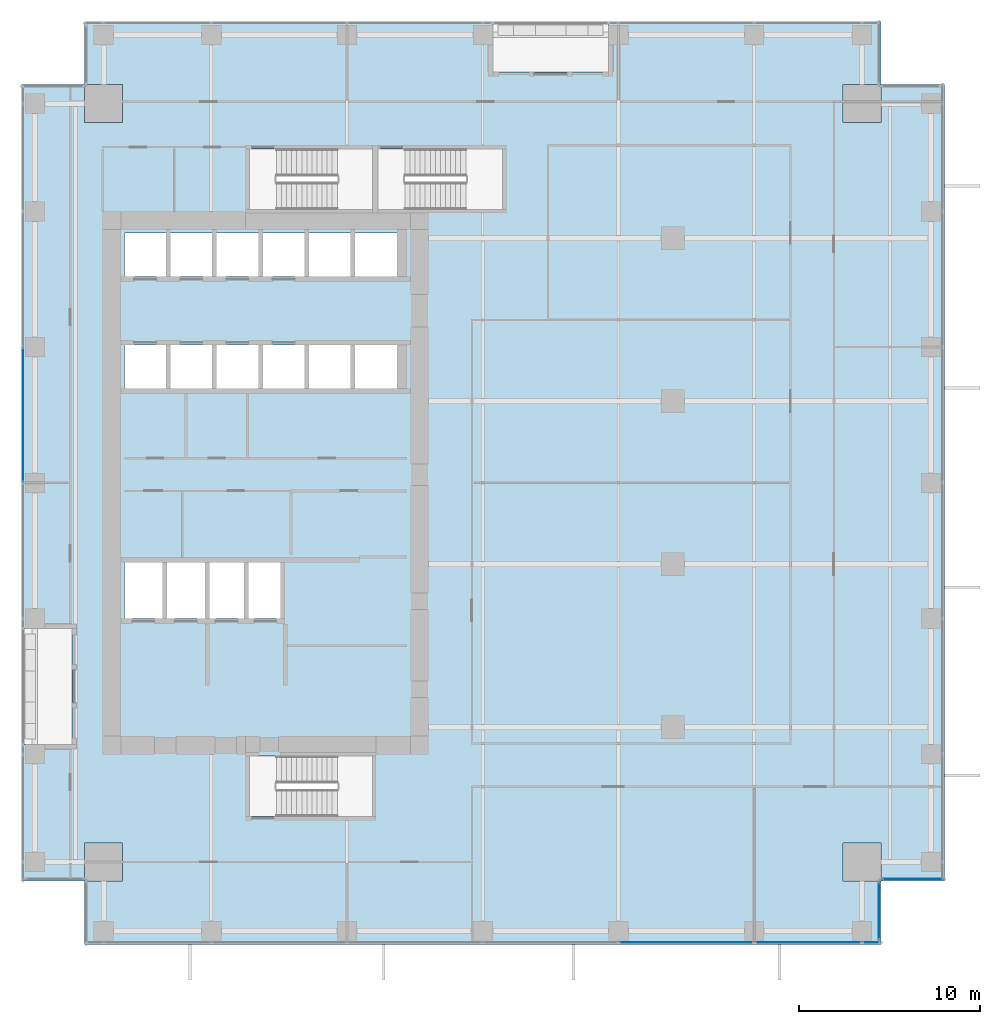
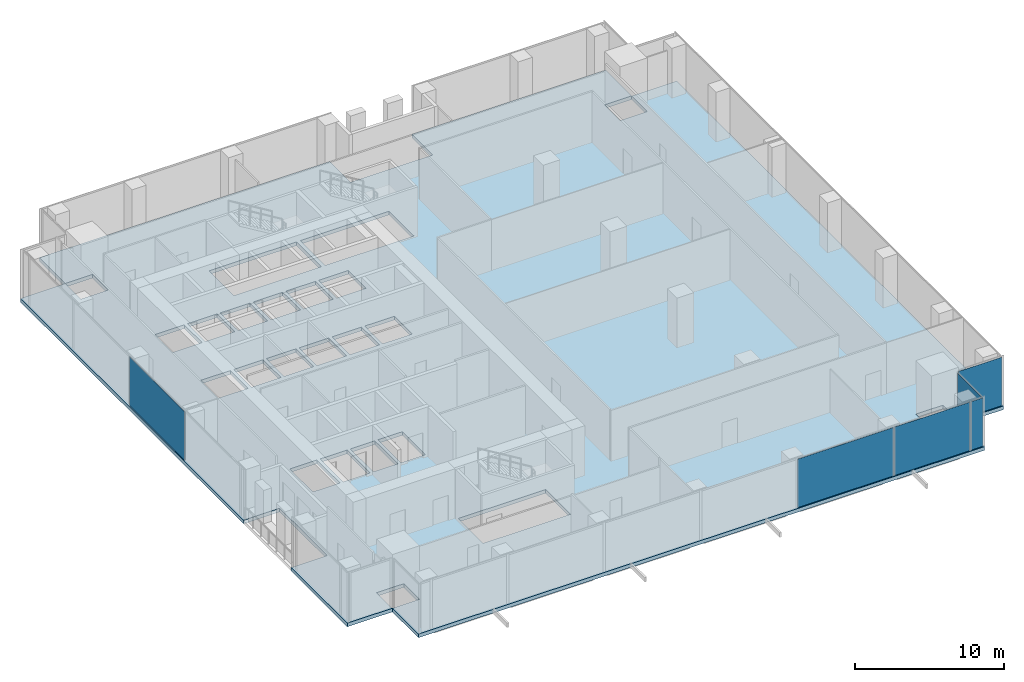
# One storey, part 24 of 34: 6 plates, 1 slab, 4 elements without a shape of their own.
"""IFC4 building model written with IfcOpenShell, lengths in metres."""

from ifc_helpers import new_model, si_unit, direction, frame, origin, origin_2d, place, context, subcontext, project, spatial, polyline, rectangle, outline, extrude, source, transform, mapped, material, layer, layer_set, type_object, element, aggregate, save


model = new_model("IFC4")

# Units and contexts
model_context = context("Model", 3, precision=1e-05, world=origin(), true_north=direction((0.0, 1.0)))
body_context = subcontext(model_context, "Body", "Model", "MODEL_VIEW")
ifc_project = project(units=[si_unit("LENGTHUNIT", "METRE"), si_unit("AREAUNIT", "SQUARE_METRE"), si_unit("VOLUMEUNIT", "CUBIC_METRE"), si_unit("PLANEANGLEUNIT", "RADIAN"), si_unit("MASSUNIT", "GRAM", prefix="KILO")], contexts=[model_context])

# Site, building, storey
site_placement = place(None, origin())
site = spatial("IfcSite", under=ifc_project, at=site_placement, CompositionType="ELEMENT")
building_placement = place(site_placement, origin())
building = spatial("IfcBuilding", under=site, at=building_placement, Name="Khomas Fold Tower", CompositionType="ELEMENT")
storey_placement = place(building_placement, frame((0.0, 0.0, 123.5)))
storey = spatial("IfcBuildingStorey", under=building, at=storey_placement, Name="L26", CompositionType="ELEMENT", Elevation=123.5)

# Slab
ifc_material_1 = material(Name="Concrete C40/50", Category="concrete")
ifc_layer_1 = layer(ifc_material_1, 0.300048828125)
ifc_layer_set_1 = layer_set([ifc_layer_1], Name="Concrete C40/50")
slab_type = type_object("IfcSlabType", Name="RC floor slab 300", PredefinedType="FLOOR", material=ifc_layer_set_1)
shared_shape_1 = source(origin(), body_context, "Body", "SweptSolid", [
    extrude(outline(polyline([(1.5, 5.0), (4.9951171875, 5.0), (4.9951171875, 7.10498046875), (7.10498046875, 7.10498046875), (7.10498046875, 4.9951171875), (5.0, 4.9951171875), (5.0, 1.5), (49.0, 1.5), (49.0, 4.9951171875), (46.89501953125, 4.9951171875), (46.89501953125, 7.10498046875), (49.0048828125, 7.10498046875), (49.0048828125, 5.0), (52.5, 5.0), (52.5, 49.0), (49.0048828125, 49.0), (49.0048828125, 46.89501953125), (46.89501953125, 46.89501953125), (46.89501953125, 49.0048828125), (49.0, 49.0048828125), (49.0, 52.5), (33.949951171875, 52.5), (33.949951171875, 49.699951171875), (27.550048828125, 49.699951171875), (27.550048828125, 52.5), (5.0, 52.5), (5.0, 49.0048828125), (7.10498046875, 49.0048828125), (7.10498046875, 46.89501953125), (4.9951171875, 46.89501953125), (4.9951171875, 49.0), (1.5, 49.0), (1.5, 18.949951171875), (4.300048828125, 18.949951171875), (4.300048828125, 12.550048828125), (1.5, 12.550048828125), (1.5, 5.0)]), holes=[polyline([(7.199951171875, 19.5), (7.199951171875, 22.60009765625), (9.300048828125, 22.60009765625), (9.300048828125, 19.5), (7.199951171875, 19.5)]), polyline([(7.199951171875, 32.199951171875), (7.199951171875, 34.60009765625), (9.5, 34.60009765625), (9.5, 32.199951171875), (7.199951171875, 32.199951171875)]), polyline([(7.199951171875, 38.39990234375), (7.199951171875, 40.800048828125), (9.5, 40.800048828125), (9.5, 38.39990234375), (7.199951171875, 38.39990234375)]), polyline([(9.550048828125, 19.5), (9.550048828125, 22.60009765625), (11.64990234375, 22.60009765625), (11.64990234375, 19.5), (9.550048828125, 19.5)]), polyline([(9.75, 32.199951171875), (9.75, 34.60009765625), (12.050048828125, 34.60009765625), (12.050048828125, 32.199951171875), (9.75, 32.199951171875)]), polyline([(9.75, 38.39990234375), (9.75, 40.800048828125), (12.050048828125, 40.800048828125), (12.050048828125, 38.39990234375), (9.75, 38.39990234375)]), polyline([(11.89990234375, 19.5), (11.89990234375, 22.60009765625), (13.800048828125, 22.60009765625), (13.800048828125, 19.5), (11.89990234375, 19.5)]), polyline([(12.300048828125, 32.199951171875), (12.300048828125, 34.60009765625), (14.60009765625, 34.60009765625), (14.60009765625, 32.199951171875), (12.300048828125, 32.199951171875)]), polyline([(12.300048828125, 38.39990234375), (12.300048828125, 40.800048828125), (14.60009765625, 40.800048828125), (14.60009765625, 38.39990234375), (12.300048828125, 38.39990234375)]), polyline([(14.050048828125, 19.5), (14.050048828125, 22.60009765625), (15.949951171875, 22.60009765625), (15.949951171875, 19.5), (14.050048828125, 19.5)]), polyline([(14.10009765625, 8.550048828125), (14.10009765625, 11.89990234375), (20.89990234375, 11.89990234375), (20.89990234375, 8.550048828125), (14.10009765625, 8.550048828125)]), polyline([(14.10009765625, 42.10009765625), (14.10009765625, 45.449951171875), (20.89990234375, 45.449951171875), (20.89990234375, 42.10009765625), (14.10009765625, 42.10009765625)]), polyline([(14.85009765625, 32.199951171875), (14.85009765625, 34.60009765625), (17.14990234375, 34.60009765625), (17.14990234375, 32.199951171875), (14.85009765625, 32.199951171875)]), polyline([(14.85009765625, 38.39990234375), (14.85009765625, 40.800048828125), (17.14990234375, 40.800048828125), (17.14990234375, 38.39990234375), (14.85009765625, 38.39990234375)]), polyline([(17.39990234375, 32.199951171875), (17.39990234375, 34.60009765625), (19.699951171875, 34.60009765625), (19.699951171875, 32.199951171875), (17.39990234375, 32.199951171875)]), polyline([(17.39990234375, 38.39990234375), (17.39990234375, 40.800048828125), (19.699951171875, 40.800048828125), (19.699951171875, 38.39990234375), (17.39990234375, 38.39990234375)]), polyline([(19.949951171875, 32.199951171875), (19.949951171875, 34.60009765625), (22.25, 34.60009765625), (22.25, 32.199951171875), (19.949951171875, 32.199951171875)]), polyline([(19.949951171875, 38.39990234375), (19.949951171875, 40.800048828125), (22.25, 40.800048828125), (22.25, 38.39990234375), (19.949951171875, 38.39990234375)]), polyline([(21.199951171875, 42.10009765625), (21.199951171875, 45.449951171875), (28.10009765625, 45.449951171875), (28.10009765625, 42.10009765625), (21.199951171875, 42.10009765625)])]), origin(), (0.0, 0.0, 1.0), 0.300048828125),
])
slab_placement = place(storey_placement, frame((0.0, 0.0, -0.300048828125)))
element("IfcSlab", 1, at=slab_placement, inside=storey, type_object=slab_type, Name="S-L26", PredefinedType="FLOOR", context=body_context, shape_type="MappedRepresentation", body=[
    mapped(shared_shape_1, transform((0.0, 0.0, 0.0))),
])

# Curtain wall, plates
ifc_material_2 = material(Name="Aluminium framed double glazing", Category="aluminium")
curtain_wall_type = type_object("IfcCurtainWallType", Name="SK-Unitised clear-glass wall, growing floors CW1", PredefinedType="NOTDEFINED", material=ifc_material_2)
curtain_wall_1_placement = place(storey_placement, origin())
curtain_wall_1 = element("IfcCurtainWall", 2, at=curtain_wall_1_placement, inside=storey, type_object=curtain_wall_type, Name="CW1 run L26 00-0", PredefinedType="NOTDEFINED")
ifc_material_3 = material(Name="Clear double glazed unit")
ifc_layer_2 = layer(ifc_material_3, 0.031982421875)
ifc_layer_set_2 = layer_set([ifc_layer_2], Name="Clear double glazed unit")
plate_type = type_object("IfcPlateType", Name="SK-Unitised clear-glass wall, growing floors glass panel CW1-P", PredefinedType="CURTAIN_PANEL", material=ifc_layer_set_2)
shared_shape_2 = source(origin(), body_context, "Body", "SweptSolid", [
    extrude(rectangle(XDim=5.889892578125, YDim=0.031982421875, at=origin_2d()), origin(), (0.0, 0.0, 1.0), 3.97998046875),
])
plate_1_placement = place(storey_placement, frame((44.97509765625, 1.60009765625, 0.0), z_axis=(0.0, 0.0, 1.0), x_axis=(1.0, 0.0, 0.0)))
plate_1 = element("IfcPlate", 3, at=plate_1_placement, type_object=plate_type, Name="CW1 glass panel 7", PredefinedType="CURTAIN_PANEL", context=body_context, shape_type="MappedRepresentation", body=[
    mapped(shared_shape_2, transform((0.0, 0.0, 0.0))),
])
shared_shape_3 = source(origin(), body_context, "Body", "SweptSolid", [
    extrude(rectangle(XDim=7.43994140625, YDim=0.031982421875, at=origin_2d()), origin(), (0.0, 0.0, 1.0), 3.97998046875),
])
plate_2_placement = place(storey_placement, frame((38.25, 1.60009765625, 0.0), z_axis=(0.0, 0.0, 1.0), x_axis=(1.0, 0.0, 0.0)))
plate_2 = element("IfcPlate", 4, at=plate_2_placement, type_object=plate_type, Name="CW1 glass panel 6", PredefinedType="CURTAIN_PANEL", context=body_context, shape_type="MappedRepresentation", body=[
    mapped(shared_shape_3, transform((0.0, 0.0, 0.0))),
])

# Curtain wall, plate
curtain_wall_2_placement = place(storey_placement, origin())
curtain_wall_2 = element("IfcCurtainWall", 5, at=curtain_wall_2_placement, inside=storey, type_object=curtain_wall_type, Name="CW1 run L26 09-0", PredefinedType="NOTDEFINED")
plate_3_placement = place(storey_placement, frame((1.60009765625, 30.75, 0.0), z_axis=(0.0, 0.0, 1.0), x_axis=(0.0, -1.0, 0.0)))
plate_3 = element("IfcPlate", 6, at=plate_3_placement, type_object=plate_type, Name="CW1 glass panel 4", PredefinedType="CURTAIN_PANEL", context=body_context, shape_type="MappedRepresentation", body=[
    mapped(shared_shape_3, transform((0.0, 0.0, 0.0))),
])
aggregate(curtain_wall_2, [plate_3])

# Plate
shared_shape_4 = source(origin(), body_context, "Body", "SweptSolid", [
    extrude(rectangle(XDim=0.9599609375, YDim=0.031982421875, at=origin_2d()), origin(), (0.0, 0.0, 1.0), 3.97998046875),
])
plate_4_placement = place(storey_placement, frame((48.4599609375, 1.60009765625, 0.0), z_axis=(0.0, 0.0, 1.0), x_axis=(1.0, 0.0, 0.0)))
plate_4 = element("IfcPlate", 7, at=plate_4_placement, type_object=plate_type, Name="CW1 glass panel 8", PredefinedType="CURTAIN_PANEL", context=body_context, shape_type="MappedRepresentation", body=[
    mapped(shared_shape_4, transform((0.0, 0.0, 0.0))),
])

aggregate(curtain_wall_1, [plate_2, plate_1, plate_4])

# Curtain wall, plate
curtain_wall_3_placement = place(storey_placement, origin())
curtain_wall_3 = element("IfcCurtainWall", 8, at=curtain_wall_3_placement, inside=storey, type_object=curtain_wall_type, Name="CW1 corner return L26 01", PredefinedType="NOTDEFINED")
shared_shape_5 = source(origin(), body_context, "Body", "SweptSolid", [
    extrude(rectangle(XDim=3.179931640625, YDim=0.031982421875, at=origin_2d()), origin(), (0.0, 0.0, 1.0), 3.97998046875),
])
plate_5_placement = place(storey_placement, frame((48.89990234375, 3.35009765625, 0.0), z_axis=(0.0, 0.0, 1.0), x_axis=(0.0, 1.0, 0.0)))
plate_5 = element("IfcPlate", 9, at=plate_5_placement, type_object=plate_type, Name="CW1 glass panel 1", PredefinedType="CURTAIN_PANEL", context=body_context, shape_type="MappedRepresentation", body=[
    mapped(shared_shape_5, transform((0.0, 0.0, 0.0))),
])
aggregate(curtain_wall_3, [plate_5])

curtain_wall_4_placement = place(storey_placement, origin())
curtain_wall_4 = element("IfcCurtainWall", 10, at=curtain_wall_4_placement, inside=storey, type_object=curtain_wall_type, Name="CW1 corner return L26 02", PredefinedType="NOTDEFINED")
shared_shape_6 = source(origin(), body_context, "Body", "SweptSolid", [
    extrude(rectangle(XDim=3.3798828125, YDim=0.031982421875, at=origin_2d()), origin(), (0.0, 0.0, 1.0), 3.97998046875),
])
plate_6_placement = place(storey_placement, frame((50.75, 5.10009765625, 0.0), z_axis=(0.0, 0.0, 1.0), x_axis=(1.0, 0.0, 0.0)))
plate_6 = element("IfcPlate", 11, at=plate_6_placement, type_object=plate_type, Name="CW1 glass panel 1", PredefinedType="CURTAIN_PANEL", context=body_context, shape_type="MappedRepresentation", body=[
    mapped(shared_shape_6, transform((0.0, 0.0, 0.0))),
])
aggregate(curtain_wall_4, [plate_6])

save(model, "model.ifc")
